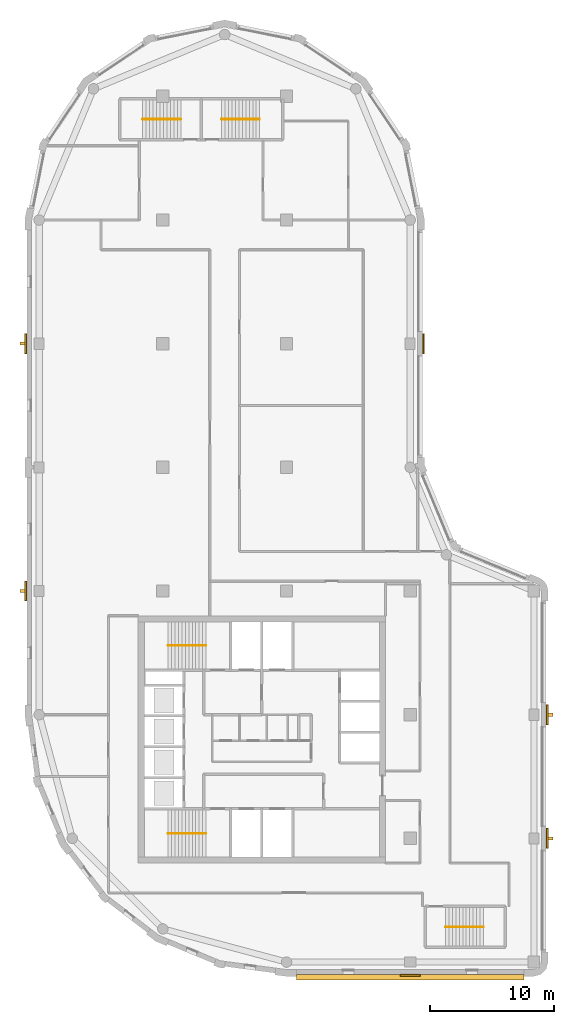
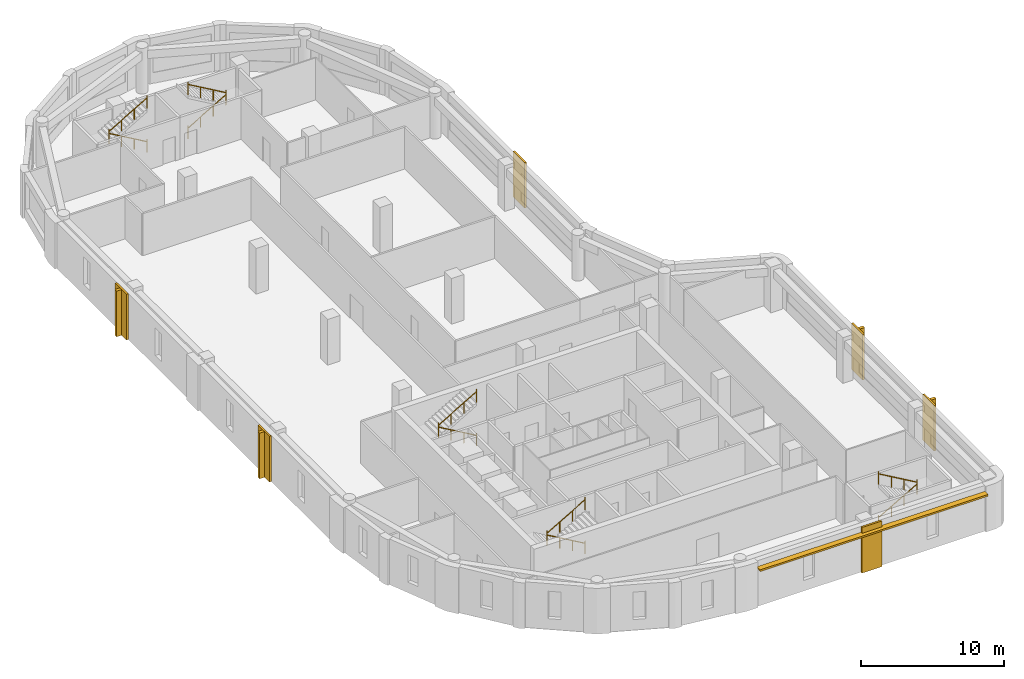
# One storey, part 7 of 8: 10 railings, 6 coverings, 5 shading devices.
"""IFC4 building model written with IfcOpenShell, lengths in metres."""

import ifcopenshell
import ifcopenshell.guid

model = None  # the IFC model being written
_history = None  # IfcOwnerHistory: only IFC2X3 demands one
_inside = {}  # id of a spatial element -> (the spatial element, [elements in it])
_under = {}  # id of a project, library or spatial element -> (it, [spatial elements below it])
_declared = {}  # id of a project -> (the project, [libraries it declares])
_typed = {}  # id of a type object -> (the type object, [elements of that type])
_made_of = {}  # id of a material, layer set ... -> (it, [elements and type objects made of it])


def new_model(schema):
    """Start an empty IFC model of exactly this schema.

    Asked for "IFC4X3", IfcOpenShell would pick the latest addendum, in which some entities
    have other attributes; the version numbers below select the first issue.
    IFC2X3 requires an IfcOwnerHistory on every rooted entity: one is made here for all.
    """
    global model, _history
    if schema == "IFC4X3":
        model = ifcopenshell.file(schema_version=(4, 3, 0, 0))
    else:
        model = ifcopenshell.file(schema=schema)
    _inside.clear()
    _under.clear()
    _declared.clear()
    _typed.clear()
    _made_of.clear()
    _history = None
    if model.schema == "IFC2X3":
        org = make("IfcOrganization", Name="unknown")
        user = make(
            "IfcPersonAndOrganization",
            ThePerson=make("IfcPerson", FamilyName="unknown"),
            TheOrganization=org,
        )
        app = make(
            "IfcApplication",
            ApplicationDeveloper=org,
            Version="unknown",
            ApplicationFullName="unknown",
            ApplicationIdentifier="unknown",
        )
        _history = make(
            "IfcOwnerHistory",
            OwningUser=user,
            OwningApplication=app,
            ChangeAction="ADDED",
            CreationDate=0,
        )
    return model


def make(cls, **values):
    """One entity of the class cls with the attributes given. An attribute that is None is left unset."""
    return model.create_entity(
        cls, **{name: value for name, value in values.items() if value is not None}
    )


def rooted(cls, **values):
    """An entity with a GlobalId (a new one), such as an element, a storey or a relation."""
    return make(cls, GlobalId=ifcopenshell.guid.new(), OwnerHistory=_history, **values)


def si_unit(unit_type, name, prefix=None):
    """IfcSIUnit, for example si_unit("LENGTHUNIT", "METRE", prefix="MILLI")."""
    return make("IfcSIUnit", UnitType=unit_type, Prefix=prefix, Name=name)


def assignment(units):
    """IfcUnitAssignment: the units of a project."""
    return None if units is None else make("IfcUnitAssignment", Units=units)


def point(xyz):
    """IfcCartesianPoint."""
    return None if xyz is None else make("IfcCartesianPoint", Coordinates=xyz)


def direction(xyz):
    """IfcDirection."""
    return None if xyz is None else make("IfcDirection", DirectionRatios=xyz)


def frame(location, z_axis=None, x_axis=None):
    """IfcAxis2Placement3D, a coordinate frame: its origin and axes. An axis left out is left unset."""
    return make(
        "IfcAxis2Placement3D",
        Location=point(location),
        Axis=direction(z_axis),
        RefDirection=direction(x_axis),
    )


def frame_2d(location, x_axis=None):
    """IfcAxis2Placement2D, a coordinate frame in the plane: its origin and x axis."""
    return make(
        "IfcAxis2Placement2D", Location=point(location), RefDirection=direction(x_axis)
    )


def origin():
    """The frame at (0, 0, 0) with its axes left unset."""
    return frame((0.0, 0.0, 0.0))


def origin_2d():
    """The frame at (0, 0) in the plane with its x axis left unset."""
    return frame_2d((0.0, 0.0))


def place(relative_to, where):
    """IfcLocalPlacement: puts the frame where relative to a parent placement (None: the world)."""
    return make(
        "IfcLocalPlacement", PlacementRelTo=relative_to, RelativePlacement=where
    )


def context(
    kind, dimensions, precision=None, world=None, true_north=None, identifier=None
):
    """IfcGeometricRepresentationContext, for example the 3D "Model" context."""
    return make(
        "IfcGeometricRepresentationContext",
        ContextIdentifier=identifier,
        ContextType=kind,
        CoordinateSpaceDimension=dimensions,
        Precision=precision,
        WorldCoordinateSystem=world,
        TrueNorth=true_north,
    )


def subcontext(parent, identifier, kind, view, scale=None):
    """IfcGeometricRepresentationSubContext, for example "Body" below "Model"."""
    return make(
        "IfcGeometricRepresentationSubContext",
        ContextIdentifier=identifier,
        ContextType=kind,
        ParentContext=parent,
        TargetScale=scale,
        TargetView=view,
    )


def project(units=None, contexts=None):
    """IfcProject with its units and contexts."""
    return rooted(
        "IfcProject",
        Name="project",
        RepresentationContexts=contexts,
        UnitsInContext=assignment(units),
    )


def spatial(cls, under=None, at=None, **own):
    """A site, building, storey or space (cls), placed at a placement, below another one or the project."""
    s = rooted(cls, ObjectPlacement=at, **own)
    if under is not None:
        _under.setdefault(under.id(), (under, []))[1].append(s)
    return s


def polyline(points):
    """IfcPolyline through the points."""
    return make("IfcPolyline", Points=[point(p) for p in points])


def profile(cls, at=None, kind="AREA", **sizes):
    """A parametric profile (cls). Its sizes go by their IFC names, for example OverallWidth=200.0."""
    return make(cls, ProfileType=kind, Position=at, **sizes)


def rectangle(**sizes):
    """IfcRectangleProfileDef."""
    return profile("IfcRectangleProfileDef", **sizes)


def circle(**sizes):
    """IfcCircleProfileDef."""
    return profile("IfcCircleProfileDef", **sizes)


def outline(outer, holes=None, kind="AREA"):
    """IfcArbitraryClosedProfileDef: a profile drawn as a closed curve; with holes, ...WithVoids."""
    if holes is None:
        return make("IfcArbitraryClosedProfileDef", ProfileType=kind, OuterCurve=outer)
    return make(
        "IfcArbitraryProfileDefWithVoids",
        ProfileType=kind,
        OuterCurve=outer,
        InnerCurves=holes,
    )


def extrude(swept, where, along, depth):
    """IfcExtrudedAreaSolid: the profile swept, set in the frame where, extruded along a direction by depth."""
    return make(
        "IfcExtrudedAreaSolid",
        SweptArea=swept,
        Position=where,
        ExtrudedDirection=direction(along),
        Depth=depth,
    )


def shape(context_of_items, identifier, shape_type, items):
    """IfcShapeRepresentation: the items that make up one representation, for example the "Body"."""
    return make(
        "IfcShapeRepresentation",
        ContextOfItems=context_of_items,
        RepresentationIdentifier=identifier,
        RepresentationType=shape_type,
        Items=items,
    )


def material(Name=None, Category=None):
    """IfcMaterial."""
    return make("IfcMaterial", Name=Name, Category=Category)


def layer(
    of_material, thickness, ventilated=None, Name=None, Category=None, Priority=None
):
    """IfcMaterialLayer: one layer of a wall or slab, of a material (None: an air gap)."""
    return make(
        "IfcMaterialLayer",
        Material=of_material,
        LayerThickness=thickness,
        IsVentilated=ventilated,
        Name=Name,
        Category=Category,
        Priority=Priority,
    )


def layer_set(layers, Name=None):
    """IfcMaterialLayerSet."""
    return make("IfcMaterialLayerSet", MaterialLayers=layers, LayerSetName=Name)


def made_of(thing, what):
    """Note that an element or type object is made of a material, layer set ...; save() writes the relation."""
    if what is not None:
        _made_of.setdefault(what.id(), (what, []))[1].append(thing)
    return thing


def type_object(cls, material=None, **own):
    """A type object (cls), such as IfcWallType, which elements share."""
    return made_of(rooted(cls, **own), material)


def element(
    cls,
    number,
    at=None,
    inside=None,
    cuts=None,
    type_object=None,
    material=None,
    context=None,
    identifier="Body",
    shape_type=None,
    held_by="IfcProductDefinitionShape",
    body=None,
    shapes=None,
    **own,
):
    """One element of the class cls, such as IfcWall. Its Tag is "e" and its number.

    at: its placement. inside: the storey or other place that contains it. cuts: it is an
    opening in that element (IfcRelVoidsElement). A single representation is given by context,
    identifier, shape_type and body (its items); several are given by shapes. held_by: the class
    of the entity that holds the representations. save() writes the other relations.
    """
    e = rooted(cls, Tag="e%d" % number, ObjectPlacement=at, **own)
    if body is not None:
        shapes = [shape(context, identifier, shape_type, body)]
    if shapes is not None:
        e.Representation = make(held_by, Representations=shapes)
    if inside is not None:
        _inside.setdefault(inside.id(), (inside, []))[1].append(e)
    if cuts is not None:
        rooted(
            "IfcRelVoidsElement", RelatingBuildingElement=cuts, RelatedOpeningElement=e
        )
    if type_object is not None:
        _typed.setdefault(type_object.id(), (type_object, []))[1].append(e)
    return made_of(e, material)


def aggregate(whole, parts):
    """IfcRelAggregates: a whole, such as a stair, and the parts it consists of."""
    return rooted("IfcRelAggregates", RelatingObject=whole, RelatedObjects=parts)


def save(model, path):
    """Write the relations noted so far, then the file.

    IfcRelAggregates (storeys below a building ...), IfcRelContainedInSpatialStructure (elements
    in a storey), IfcRelDefinesByType, IfcRelAssociatesMaterial and IfcRelDeclares: one each for
    every whole, place, type object, material and project.
    """
    for whole, parts in _under.values():
        aggregate(whole, parts)
    for where, things in _inside.values():
        rooted(
            "IfcRelContainedInSpatialStructure",
            RelatedElements=things,
            RelatingStructure=where,
        )
    for kind, things in _typed.values():
        rooted("IfcRelDefinesByType", RelatedObjects=things, RelatingType=kind)
    for what, things in _made_of.values():
        rooted("IfcRelAssociatesMaterial", RelatedObjects=things, RelatingMaterial=what)
    for by, libraries in _declared.values():
        rooted("IfcRelDeclares", RelatingContext=by, RelatedDefinitions=libraries)
    model.write(path)


model = new_model("IFC4")

# Units and contexts
model_context = context("Model", 3, precision=1e-05, world=origin(), true_north=direction((0.0, 1.0)))
body_context = subcontext(model_context, "Body", "Model", "MODEL_VIEW")
ifc_project = project(units=[si_unit("LENGTHUNIT", "METRE"), si_unit("AREAUNIT", "SQUARE_METRE"), si_unit("VOLUMEUNIT", "CUBIC_METRE"), si_unit("PLANEANGLEUNIT", "RADIAN"), si_unit("MASSUNIT", "GRAM", prefix="KILO")], contexts=[model_context])

# Site, building, storey
site_placement = place(None, origin())
site = spatial("IfcSite", under=ifc_project, at=site_placement, CompositionType="ELEMENT")
building_placement = place(site_placement, origin())
building = spatial("IfcBuilding", under=site, at=building_placement, Name="Qaws Garden Tower", CompositionType="ELEMENT")
storey_placement = place(building_placement, frame((0.0, 0.0, 341.10009765625)))
storey = spatial("IfcBuildingStorey", under=building, at=storey_placement, Name="L83", CompositionType="ELEMENT", Elevation=341.10009765625)

# Coverings
ifc_material_1 = material(Name="Clay facing brick masonry", Category="masonry")
ifc_layer_1 = layer(ifc_material_1, 0.14990234375)
ifc_layer_set_1 = layer_set([ifc_layer_1], Name="Clay facing brick masonry")
covering_type = type_object("IfcCoveringType", Name="Brick pilaster facing 150 x 1600", PredefinedType="CLADDING", material=ifc_layer_set_1)
placement = place(storey_placement, origin())
element("IfcCovering", 1, at=placement, inside=storey, type_object=covering_type, Name="E-L83-pier-01", PredefinedType="CLADDING", context=body_context, shape_type="SweptSolid", body=[
    extrude(outline(polyline([(29.199951171875, -1.0), (30.800048828125, -1.0), (30.800048828125, -1.14990234375), (29.199951171875, -1.14990234375), (29.199951171875, -1.0)])), origin(), (0.0, 0.0, 1.0), 3.89990234375),
])
element("IfcCovering", 2, at=placement, inside=storey, type_object=covering_type, Name="E-L83-pier-03", PredefinedType="CLADDING", context=body_context, shape_type="SweptSolid", body=[
    extrude(outline(polyline([(41.0, 9.199951171875), (41.0, 10.800048828125), (41.14990234375, 10.800048828125), (41.14990234375, 9.199951171875), (41.0, 9.199951171875)])), origin(), (0.0, 0.0, 1.0), 3.89990234375),
])
element("IfcCovering", 3, at=placement, inside=storey, type_object=covering_type, Name="E-L83-pier-04", PredefinedType="CLADDING", context=body_context, shape_type="SweptSolid", body=[
    extrude(outline(polyline([(41.0, 19.199951171875), (41.0, 20.800048828125), (41.14990234375, 20.800048828125), (41.14990234375, 19.199951171875), (41.0, 19.199951171875)])), origin(), (0.0, 0.0, 1.0), 3.89990234375),
])
element("IfcCovering", 4, at=placement, inside=storey, type_object=covering_type, Name="E-L83-pier-08", PredefinedType="CLADDING", context=body_context, shape_type="SweptSolid", body=[
    extrude(outline(polyline([(31.0, 49.199951171875), (31.0, 50.800048828125), (31.14990234375, 50.800048828125), (31.14990234375, 49.199951171875), (31.0, 49.199951171875)])), origin(), (0.0, 0.0, 1.0), 3.89990234375),
])
element("IfcCovering", 5, at=placement, inside=storey, type_object=covering_type, Name="E-L83-pier-18", PredefinedType="CLADDING", context=body_context, shape_type="SweptSolid", body=[
    extrude(outline(polyline([(-1.0, 50.800048828125), (-1.0, 49.199951171875), (-1.14990234375, 49.199951171875), (-1.14990234375, 50.800048828125), (-1.0, 50.800048828125)])), origin(), (0.0, 0.0, 1.0), 3.89990234375),
])
element("IfcCovering", 6, at=placement, inside=storey, type_object=covering_type, Name="E-L83-pier-20", PredefinedType="CLADDING", context=body_context, shape_type="SweptSolid", body=[
    extrude(outline(polyline([(-1.0, 30.800048828125), (-1.0, 29.199951171875), (-1.14990234375, 29.199951171875), (-1.14990234375, 30.800048828125), (-1.0, 30.800048828125)])), origin(), (0.0, 0.0, 1.0), 3.89990234375),
])

# Shading devices
ifc_material_2 = material(Name="Clay facing brick masonry", Category="masonry")
ifc_layer_2 = layer(ifc_material_2, 0.14990234375)
ifc_layer_set_2 = layer_set([ifc_layer_2], Name="Clay facing brick masonry")
shading_device_type_1 = type_object("IfcShadingDeviceType", Name="Brick sunshade band 450 x 150", PredefinedType="JALOUSIE", material=ifc_layer_set_2)
shading_device_placement = place(storey_placement, frame((0.0, 0.0, 3.25)))
element("IfcShadingDevice", 7, at=shading_device_placement, inside=storey, type_object=shading_device_type_1, Name="SUNSHADE 00", PredefinedType="JALOUSIE", context=body_context, shape_type="SweptSolid", body=[
    extrude(outline(polyline([(20.800048828125, -1.0), (20.800048828125, -1.449951171875), (39.199951171875, -1.449951171875), (39.199951171875, -1.0), (30.800048828125, -1.0), (30.800048828125, -1.14990234375), (29.199951171875, -1.14990234375), (29.199951171875, -1.0), (20.800048828125, -1.0)])), origin(), (0.0, 0.0, 1.0), 0.14990234375),
])
ifc_material_3 = material(Name="Clay facing brick masonry", Category="masonry")
ifc_layer_3 = layer(ifc_material_3, 0.25)
ifc_layer_set_3 = layer_set([ifc_layer_3], Name="Clay facing brick masonry")
shading_device_type_2 = type_object("IfcShadingDeviceType", Name="Brick-faced fin 250 x 400", PredefinedType="USERDEFINED", material=ifc_layer_set_3)
for number, where, z_axis, x_axis, name in (
    (8, (41.35009765625, 10.0, 0.0), (0.0, 0.0, 1.0), (0.0, 1.0, 0.0), "FIN 03"),
    (9, (41.35009765625, 20.0, 0.0), (0.0, 0.0, 1.0), (0.0, 1.0, 0.0), "FIN 04"),
    (10, (-1.35009765625, 50.0, 0.0), (0.0, 0.0, 1.0), (0.0, -1.0, 0.0), "FIN 18"),
    (11, (-1.35009765625, 30.0, 0.0), (0.0, 0.0, 1.0), (0.0, -1.0, 0.0), "FIN 20"),
):
    element("IfcShadingDevice", number, at=place(storey_placement, frame(where, z_axis=z_axis, x_axis=x_axis)), inside=storey, type_object=shading_device_type_2, Name=name, ObjectType="FIN", PredefinedType="USERDEFINED", context=body_context, shape_type="SweptSolid", body=[
        extrude(rectangle(XDim=0.25, YDim=0.39990234375, at=origin_2d()), origin(), (0.0, 0.0, 1.0), 3.89990234375),
    ])

# Railings
ifc_material_4 = material(Name="Steel S355", Category="steel")
railing_type = type_object("IfcRailingType", Name="Stair handrail 900", PredefinedType="HANDRAIL", material=ifc_material_4)
railing_1_placement = place(storey_placement, frame((13.5, 10.39990234375, 0.162353515625)))
element("IfcRailing", 12, at=railing_1_placement, inside=storey, type_object=railing_type, Name="Stair 1 handrail", PredefinedType="HANDRAIL", context=body_context, shape_type="SweptSolid", body=[
    extrude(circle(Radius=0.02392578125, at=origin_2d()), frame((0.0, 0.0, 0.8759765625), z_axis=(-0.864890721111, 0.0, 0.501960198159), x_axis=(0.0, -1.0, 0.0)), (0.0, 0.0, 1.0), 3.561279296875),
    extrude(circle(Radius=0.02099609375, at=origin_2d()), origin(), (0.0, 0.0, 1.0), 1.06201171875),
    extrude(circle(Radius=0.02099609375, at=origin_2d()), frame((-1.026611328125, 0.0, 0.595947265625)), (0.0, 0.0, 1.0), 0.851806640625),
    extrude(circle(Radius=0.02099609375, at=origin_2d()), frame((-2.053466796875, 0.0, 1.191650390625)), (0.0, 0.0, 1.0), 0.851806640625),
    extrude(circle(Radius=0.02099609375, at=origin_2d()), frame((-3.080078125, 0.0, 1.78759765625)), (0.0, 0.0, 1.0), 1.06201171875),
])
railing_2_placement = place(storey_placement, frame((10.419921875, 10.39990234375, 2.1123046875)))
element("IfcRailing", 13, at=railing_2_placement, inside=storey, type_object=railing_type, Name="Stair 1 handrail", PredefinedType="HANDRAIL", context=body_context, shape_type="SweptSolid", body=[
    extrude(circle(Radius=0.02392578125, at=origin_2d()), frame((0.0, 0.0, 0.8759765625), z_axis=(0.864890721111, 0.0, 0.501960198159), x_axis=(0.0, 1.0, 0.0)), (0.0, 0.0, 1.0), 3.561279296875),
    extrude(circle(Radius=0.02099609375, at=origin_2d()), origin(), (0.0, 0.0, 1.0), 1.06201171875),
    extrude(circle(Radius=0.02099609375, at=origin_2d()), frame((1.026611328125, 0.0, 0.595947265625)), (0.0, 0.0, 1.0), 0.851806640625),
    extrude(circle(Radius=0.02099609375, at=origin_2d()), frame((2.053466796875, 0.0, 1.191650390625)), (0.0, 0.0, 1.0), 0.851806640625),
    extrude(circle(Radius=0.02099609375, at=origin_2d()), frame((3.080078125, 0.0, 1.78759765625)), (0.0, 0.0, 1.0), 1.06201171875),
])
railing_3_placement = place(storey_placement, frame((13.5, 25.60009765625, 0.162353515625)))
element("IfcRailing", 14, at=railing_3_placement, inside=storey, type_object=railing_type, Name="Stair 4 handrail", PredefinedType="HANDRAIL", context=body_context, shape_type="SweptSolid", body=[
    extrude(circle(Radius=0.02392578125, at=origin_2d()), frame((0.0, 0.0, 0.8759765625), z_axis=(-0.864890721111, 0.0, 0.501960198159), x_axis=(0.0, -1.0, 0.0)), (0.0, 0.0, 1.0), 3.561279296875),
    extrude(circle(Radius=0.02099609375, at=origin_2d()), origin(), (0.0, 0.0, 1.0), 1.06201171875),
    extrude(circle(Radius=0.02099609375, at=origin_2d()), frame((-1.026611328125, 0.0, 0.595947265625)), (0.0, 0.0, 1.0), 0.851806640625),
    extrude(circle(Radius=0.02099609375, at=origin_2d()), frame((-2.053466796875, 0.0, 1.191650390625)), (0.0, 0.0, 1.0), 0.851806640625),
    extrude(circle(Radius=0.02099609375, at=origin_2d()), frame((-3.080078125, 0.0, 1.78759765625)), (0.0, 0.0, 1.0), 1.06201171875),
])
railing_4_placement = place(storey_placement, frame((10.419921875, 25.60009765625, 2.1123046875)))
element("IfcRailing", 15, at=railing_4_placement, inside=storey, type_object=railing_type, Name="Stair 4 handrail", PredefinedType="HANDRAIL", context=body_context, shape_type="SweptSolid", body=[
    extrude(circle(Radius=0.02392578125, at=origin_2d()), frame((0.0, 0.0, 0.8759765625), z_axis=(0.864890721111, 0.0, 0.501960198159), x_axis=(0.0, 1.0, 0.0)), (0.0, 0.0, 1.0), 3.561279296875),
    extrude(circle(Radius=0.02099609375, at=origin_2d()), origin(), (0.0, 0.0, 1.0), 1.06201171875),
    extrude(circle(Radius=0.02099609375, at=origin_2d()), frame((1.026611328125, 0.0, 0.595947265625)), (0.0, 0.0, 1.0), 0.851806640625),
    extrude(circle(Radius=0.02099609375, at=origin_2d()), frame((2.053466796875, 0.0, 1.191650390625)), (0.0, 0.0, 1.0), 0.851806640625),
    extrude(circle(Radius=0.02099609375, at=origin_2d()), frame((3.080078125, 0.0, 1.78759765625)), (0.0, 0.0, 1.0), 1.06201171875),
])
railing_5_placement = place(storey_placement, frame((32.85009765625, 2.85009765625, 0.162353515625)))
element("IfcRailing", 16, at=railing_5_placement, inside=storey, type_object=railing_type, Name="Stair 5 handrail", PredefinedType="HANDRAIL", context=body_context, shape_type="SweptSolid", body=[
    extrude(circle(Radius=0.02392578125, at=origin_2d()), frame((0.0, 0.0, 0.8759765625), z_axis=(0.864873446163, 0.0, 0.501989962173), x_axis=(0.0, 1.0, 0.0)), (0.0, 0.0, 1.0), 3.56103515625),
    extrude(circle(Radius=0.02099609375, at=origin_2d()), origin(), (0.0, 0.0, 1.0), 1.06201171875),
    extrude(circle(Radius=0.02099609375, at=origin_2d()), frame((1.026611328125, 0.0, 0.595947265625)), (0.0, 0.0, 1.0), 0.851806640625),
    extrude(circle(Radius=0.02099609375, at=origin_2d()), frame((2.05322265625, 0.0, 1.191650390625)), (0.0, 0.0, 1.0), 0.851806640625),
    extrude(circle(Radius=0.02099609375, at=origin_2d()), frame((3.079833984375, 0.0, 1.78759765625)), (0.0, 0.0, 1.0), 1.06201171875),
])
for number, where, name in (
    (17, (35.929931640625, 2.85009765625, 2.1123046875), "Stair 5 handrail"),
    (18, (11.449951171875, 68.14990234375, 0.162353515625), "Stair 6 handrail"),
):
    element("IfcRailing", number, at=place(storey_placement, frame(where)), inside=storey, type_object=railing_type, Name=name, PredefinedType="HANDRAIL", context=body_context, shape_type="SweptSolid", body=[
        extrude(circle(Radius=0.02392578125, at=origin_2d()), frame((0.0, 0.0, 0.8759765625), z_axis=(-0.864873446163, 0.0, 0.501989962173), x_axis=(0.0, -1.0, 0.0)), (0.0, 0.0, 1.0), 3.56103515625),
        extrude(circle(Radius=0.02099609375, at=origin_2d()), origin(), (0.0, 0.0, 1.0), 1.06201171875),
        extrude(circle(Radius=0.02099609375, at=origin_2d()), frame((-1.026611328125, 0.0, 0.595947265625)), (0.0, 0.0, 1.0), 0.851806640625),
        extrude(circle(Radius=0.02099609375, at=origin_2d()), frame((-2.05322265625, 0.0, 1.191650390625)), (0.0, 0.0, 1.0), 0.851806640625),
        extrude(circle(Radius=0.02099609375, at=origin_2d()), frame((-3.079833984375, 0.0, 1.78759765625)), (0.0, 0.0, 1.0), 1.06201171875),
    ])
railing_6_placement = place(storey_placement, frame((8.3701171875, 68.14990234375, 2.1123046875)))
element("IfcRailing", 19, at=railing_6_placement, inside=storey, type_object=railing_type, Name="Stair 6 handrail", PredefinedType="HANDRAIL", context=body_context, shape_type="SweptSolid", body=[
    extrude(circle(Radius=0.02392578125, at=origin_2d()), frame((0.0, 0.0, 0.8759765625), z_axis=(0.864873446163, 0.0, 0.501989962173), x_axis=(0.0, 1.0, 0.0)), (0.0, 0.0, 1.0), 3.56103515625),
    extrude(circle(Radius=0.02099609375, at=origin_2d()), origin(), (0.0, 0.0, 1.0), 1.06201171875),
    extrude(circle(Radius=0.02099609375, at=origin_2d()), frame((1.026611328125, 0.0, 0.595947265625)), (0.0, 0.0, 1.0), 0.851806640625),
    extrude(circle(Radius=0.02099609375, at=origin_2d()), frame((2.05322265625, 0.0, 1.191650390625)), (0.0, 0.0, 1.0), 0.851806640625),
    extrude(circle(Radius=0.02099609375, at=origin_2d()), frame((3.079833984375, 0.0, 1.78759765625)), (0.0, 0.0, 1.0), 1.06201171875),
])
railing_7_placement = place(storey_placement, frame((14.75, 68.14990234375, 0.162353515625)))
element("IfcRailing", 20, at=railing_7_placement, inside=storey, type_object=railing_type, Name="Stair 7 handrail", PredefinedType="HANDRAIL", context=body_context, shape_type="SweptSolid", body=[
    extrude(circle(Radius=0.02392578125, at=origin_2d()), frame((0.0, 0.0, 0.8759765625), z_axis=(0.864890721111, 0.0, 0.501960198159), x_axis=(0.0, 1.0, 0.0)), (0.0, 0.0, 1.0), 3.561279296875),
    extrude(circle(Radius=0.02099609375, at=origin_2d()), origin(), (0.0, 0.0, 1.0), 1.06201171875),
    extrude(circle(Radius=0.02099609375, at=origin_2d()), frame((1.026611328125, 0.0, 0.595947265625)), (0.0, 0.0, 1.0), 0.851806640625),
    extrude(circle(Radius=0.02099609375, at=origin_2d()), frame((2.053466796875, 0.0, 1.191650390625)), (0.0, 0.0, 1.0), 0.851806640625),
    extrude(circle(Radius=0.02099609375, at=origin_2d()), frame((3.080078125, 0.0, 1.78759765625)), (0.0, 0.0, 1.0), 1.06201171875),
])
railing_8_placement = place(storey_placement, frame((17.830078125, 68.14990234375, 2.1123046875)))
element("IfcRailing", 21, at=railing_8_placement, inside=storey, type_object=railing_type, Name="Stair 7 handrail", PredefinedType="HANDRAIL", context=body_context, shape_type="SweptSolid", body=[
    extrude(circle(Radius=0.02392578125, at=origin_2d()), frame((0.0, 0.0, 0.8759765625), z_axis=(-0.864890721111, 0.0, 0.501960198159), x_axis=(0.0, -1.0, 0.0)), (0.0, 0.0, 1.0), 3.561279296875),
    extrude(circle(Radius=0.02099609375, at=origin_2d()), origin(), (0.0, 0.0, 1.0), 1.06201171875),
    extrude(circle(Radius=0.02099609375, at=origin_2d()), frame((-1.026611328125, 0.0, 0.595947265625)), (0.0, 0.0, 1.0), 0.851806640625),
    extrude(circle(Radius=0.02099609375, at=origin_2d()), frame((-2.053466796875, 0.0, 1.191650390625)), (0.0, 0.0, 1.0), 0.851806640625),
    extrude(circle(Radius=0.02099609375, at=origin_2d()), frame((-3.080078125, 0.0, 1.78759765625)), (0.0, 0.0, 1.0), 1.06201171875),
])

save(model, "model.ifc")
